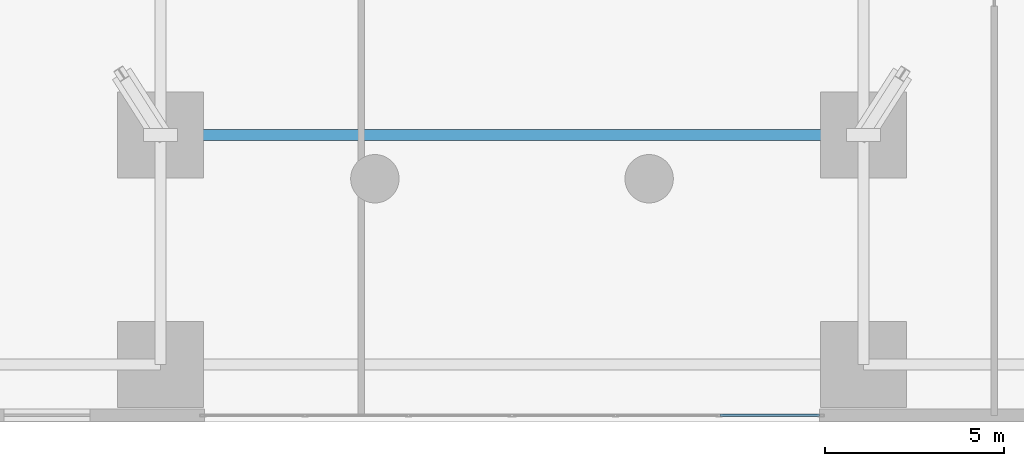
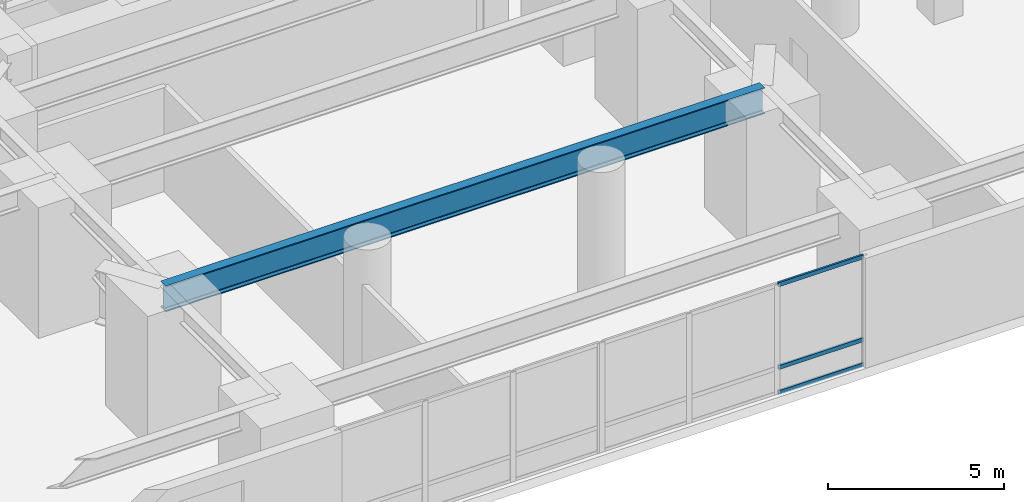
# One storey, part 7 of 17: 3 members, 1 beam, 1 element without a shape of its own.
"""IFC4 building model written with IfcOpenShell, lengths in metres."""

from ifc_helpers import new_model, si_unit, direction, frame, origin, origin_2d, place, context, subcontext, project, spatial, hollow_rectangle, i_section, extrude, material, layer, layer_set, material_profile, profile_set, type_object, element, aggregate, save


model = new_model("IFC4")

# Units and contexts
model_context = context("Model", 3, precision=1e-05, world=origin(), true_north=direction((0.0, 1.0)))
body_context = subcontext(model_context, "Body", "Model", "MODEL_VIEW")
ifc_project = project(units=[si_unit("LENGTHUNIT", "METRE"), si_unit("AREAUNIT", "SQUARE_METRE"), si_unit("VOLUMEUNIT", "CUBIC_METRE"), si_unit("PLANEANGLEUNIT", "RADIAN"), si_unit("MASSUNIT", "GRAM", prefix="KILO"), si_unit("THERMODYNAMICTEMPERATUREUNIT", "KELVIN"), si_unit("POWERUNIT", "WATT")], contexts=[model_context])

# Site, building, storey
site_placement = place(None, origin())
site = spatial("IfcSite", under=ifc_project, at=site_placement, CompositionType="ELEMENT")
building_placement = place(site_placement, origin())
building = spatial("IfcBuilding", under=site, at=building_placement, Name="Ocrelia Relay Tower", CompositionType="ELEMENT")
storey_placement = place(building_placement, frame((0.0, 0.0, 25.199951171875)))
storey = spatial("IfcBuildingStorey", under=building, at=storey_placement, Name="L05", CompositionType="ELEMENT", Elevation=25.199951171875)

# Beam
ifc_material_1 = material(Name="Steel S355", Category="steel")
ifc_material_profile_1 = material_profile(ifc_material_1, i_section(OverallWidth=0.300048828125, OverallDepth=0.89990234375, WebThickness=0.0185546875, FlangeThickness=0.034912109375, FilletRadius=0.030029296875, at=origin_2d()), Name="HEB 900")
ifc_profile_set_1 = profile_set([ifc_material_profile_1], Name="Steel S355")
beam_type = type_object("IfcBeamType", Name="BM-HEB900", PredefinedType="BEAM", material=ifc_profile_set_1)
beam_placement = place(storey_placement, frame((24.199951171875, 8.0, 4.070068359375), z_axis=(1.0, 0.0, 0.0), x_axis=(0.0, 1.0, 0.0)))
element("IfcBeam", 1, at=beam_placement, inside=storey, type_object=beam_type, Name="L05 Portal Arch Span Transfer Girder G2", PredefinedType="BEAM", context=body_context, shape_type="SweptSolid", body=[
    extrude(i_section(OverallWidth=0.300048828125, OverallDepth=0.89990234375, WebThickness=0.0185546875, FlangeThickness=0.034912109375, FilletRadius=0.030029296875, at=origin_2d()), origin(), (0.0, 0.0, 1.0), 19.60009765625),
])

# Curtain wall, members
ifc_material_2 = material(Name="Aluminium and solar-control low-E glass", Category="aluminium")
ifc_layer = layer(ifc_material_2, 0.179931640625, Name="Aluminium and solar-control low-E glass")
ifc_layer_set = layer_set([ifc_layer], Name="Aluminium and solar-control low-E glass")
curtain_wall_type = type_object("IfcCurtainWallType", Name="CW-SYS-POD-GALL", PredefinedType="NOTDEFINED", material=ifc_layer_set)
curtain_wall_placement = place(storey_placement, origin())
curtain_wall = element("IfcCurtainWall", 2, at=curtain_wall_placement, inside=storey, type_object=curtain_wall_type, Name="L05 South Over-Arch Curtain Wall East", PredefinedType="NOTDEFINED")
ifc_material_3 = material(Name="Anodised bronze aluminium", Category="aluminium")
ifc_material_profile_2 = material_profile(ifc_material_3, hollow_rectangle(XDim=0.06494140625, YDim=0.139892578125, WallThickness=0.0048828125, at=origin_2d()), Name="CW-TRN-140x65")
ifc_profile_set_2 = profile_set([ifc_material_profile_2], Name="Anodised bronze aluminium")
member_type = type_object("IfcMemberType", Name="CW-SYS-POD-GALL-TRN", PredefinedType="USERDEFINED", material=ifc_profile_set_2)
member_1_placement = place(storey_placement, frame((39.8017578125, 0.179931640625, 0.032470703125), z_axis=(1.0, 0.0, 0.0), x_axis=(0.0, 1.0, 0.0)))
member_1 = element("IfcMember", 3, at=member_1_placement, type_object=member_type, Name="CW-PG transom 3.1", ObjectType="TRANSOM", PredefinedType="USERDEFINED", context=body_context, shape_type="SweptSolid", body=[
    extrude(hollow_rectangle(XDim=0.06494140625, YDim=0.139892578125, WallThickness=0.0048828125, at=origin_2d()), origin(), (0.0, 0.0, 1.0), 2.7783203125),
])
member_2_placement = place(storey_placement, frame((39.8017578125, 0.179931640625, 0.900146484375), z_axis=(1.0, 0.0, 0.0), x_axis=(0.0, 1.0, 0.0)))
member_2 = element("IfcMember", 4, at=member_2_placement, type_object=member_type, Name="CW-PG transom 3.2", ObjectType="TRANSOM", PredefinedType="USERDEFINED", context=body_context, shape_type="SweptSolid", body=[
    extrude(hollow_rectangle(XDim=0.06494140625, YDim=0.139892578125, WallThickness=0.0048828125, at=origin_2d()), origin(), (0.0, 0.0, 1.0), 2.7783203125),
])
member_3_placement = place(storey_placement, frame((39.8017578125, 0.179931640625, 3.767578125), z_axis=(1.0, 0.0, 0.0), x_axis=(0.0, 1.0, 0.0)))
member_3 = element("IfcMember", 5, at=member_3_placement, type_object=member_type, Name="CW-PG transom 3.3", ObjectType="TRANSOM", PredefinedType="USERDEFINED", context=body_context, shape_type="SweptSolid", body=[
    extrude(hollow_rectangle(XDim=0.06494140625, YDim=0.139892578125, WallThickness=0.0048828125, at=origin_2d()), origin(), (0.0, 0.0, 1.0), 2.7783203125),
])
aggregate(curtain_wall, [member_1, member_2, member_3])

save(model, "model.ifc")
